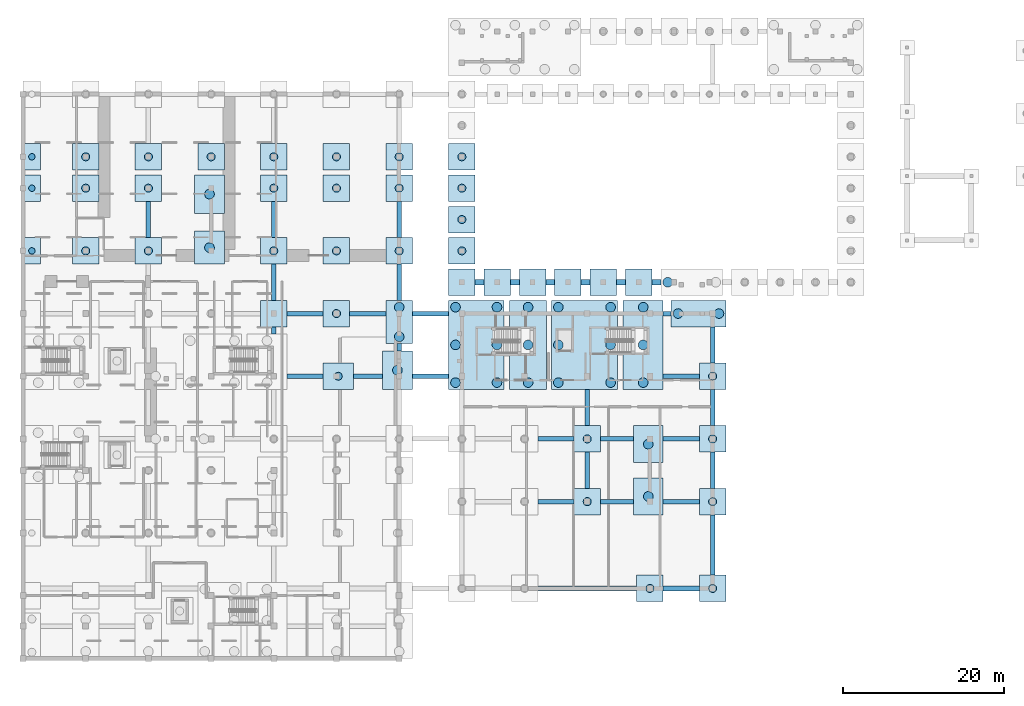
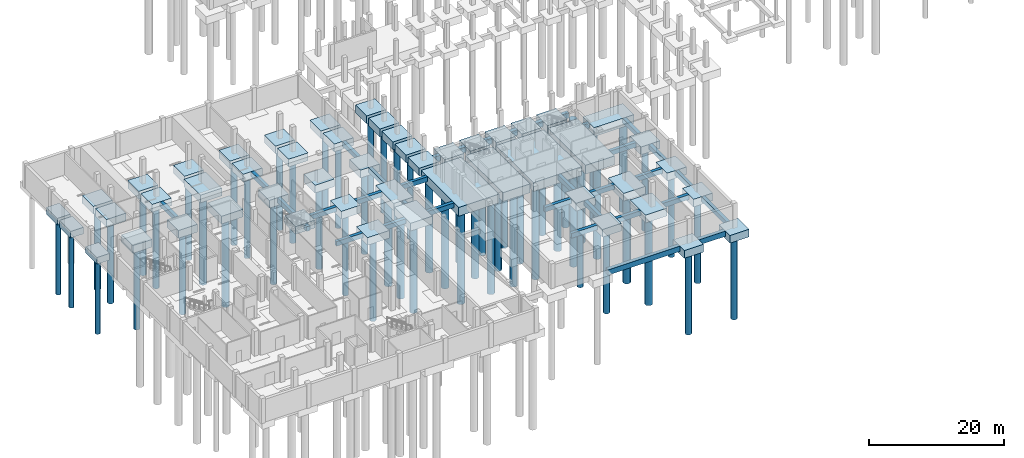
# One storey, part 2 of 24: 85 footings, 60 piles.
"""IFC4 building model written with IfcOpenShell, lengths in metres."""

from ifc_helpers import new_model, si_unit, direction, frame, origin, origin_2d, place, context, subcontext, project, spatial, rectangle, circle, extrude, material, material_profile, profile_set, type_object, element, save


model = new_model("IFC4")

# Units and contexts
model_context = context("Model", 3, precision=1e-05, world=origin(), true_north=direction((0.0, 1.0)))
body_context = subcontext(model_context, "Body", "Model", "MODEL_VIEW")
ifc_project = project(units=[si_unit("LENGTHUNIT", "METRE"), si_unit("AREAUNIT", "SQUARE_METRE"), si_unit("VOLUMEUNIT", "CUBIC_METRE"), si_unit("PLANEANGLEUNIT", "RADIAN"), si_unit("MASSUNIT", "GRAM", prefix="KILO")], contexts=[model_context])

# Site, building, storey
site_placement = place(None, origin())
site = spatial("IfcSite", under=ifc_project, at=site_placement, CompositionType="ELEMENT")
building_placement = place(site_placement, origin())
building = spatial("IfcBuilding", under=site, at=building_placement, Name="Celorna Specialist Clinic", CompositionType="ELEMENT")
storey_placement = place(building_placement, frame((0.0, 0.0, -4.5)))
storey = spatial("IfcBuildingStorey", under=building, at=storey_placement, Name="B01", CompositionType="ELEMENT", Elevation=-4.5)

# Footings
ifc_material = material(Name="Concrete C35/45", Category="concrete")
footing_type_1 = type_object("IfcFootingType", Name="FB-01", PredefinedType="FOOTING_BEAM", material=ifc_material)
footing_1_placement = place(storey_placement, frame((66.300048828125, 19.5, -0.85009765625), z_axis=(0.0, 0.0, 1.0), x_axis=(1.0, 0.0, 0.0)))
element("IfcFooting", 1, at=footing_1_placement, inside=storey, type_object=footing_type_1, Name="Foundation tie beam FB-01 #15", PredefinedType="FOOTING_BEAM", context=body_context, shape_type="SweptSolid", body=[
    extrude(rectangle(XDim=4.5, YDim=0.550048828125, at=origin_2d()), origin(), (0.0, 0.0, 1.0), 0.85009765625),
])
footing_2_placement = place(storey_placement, frame((73.89990234375, 19.5, -0.85009765625), z_axis=(0.0, 0.0, 1.0), x_axis=(1.0, 0.0, 0.0)))
element("IfcFooting", 2, at=footing_2_placement, inside=storey, type_object=footing_type_1, Name="Foundation tie beam FB-01 #16", PredefinedType="FOOTING_BEAM", context=body_context, shape_type="SweptSolid", body=[
    extrude(rectangle(XDim=4.10009765625, YDim=0.550048828125, at=origin_2d()), origin(), (0.0, 0.0, 1.0), 0.85009765625),
])
for number, where, z_axis, x_axis, name in (
    (3, (81.89990234375, 19.5, -0.85009765625), (0.0, 0.0, 1.0), (1.0, 0.0, 0.0), "Foundation tie beam FB-01 #17"),
    (4, (66.300048828125, 27.300048828125, -0.85009765625), (0.0, 0.0, 1.0), (1.0, 0.0, 0.0), "Foundation tie beam FB-01 #25"),
):
    element("IfcFooting", number, at=place(storey_placement, frame(where, z_axis=z_axis, x_axis=x_axis)), inside=storey, type_object=footing_type_1, Name=name, PredefinedType="FOOTING_BEAM", context=body_context, shape_type="SweptSolid", body=[
        extrude(rectangle(XDim=4.5, YDim=0.550048828125, at=origin_2d()), origin(), (0.0, 0.0, 1.0), 0.85009765625),
    ])
footing_3_placement = place(storey_placement, frame((73.89990234375, 27.300048828125, -0.85009765625), z_axis=(0.0, 0.0, 1.0), x_axis=(1.0, 0.0, 0.0)))
element("IfcFooting", 5, at=footing_3_placement, inside=storey, type_object=footing_type_1, Name="Foundation tie beam FB-01 #26", PredefinedType="FOOTING_BEAM", context=body_context, shape_type="SweptSolid", body=[
    extrude(rectangle(XDim=4.10009765625, YDim=0.550048828125, at=origin_2d()), origin(), (0.0, 0.0, 1.0), 0.85009765625),
])
for number, where, z_axis, x_axis, name in (
    (6, (81.89990234375, 27.300048828125, -0.85009765625), (0.0, 0.0, 1.0), (1.0, 0.0, 0.0), "Foundation tie beam FB-01 #27"),
    (7, (35.10009765625, 35.10009765625, -0.85009765625), (0.0, 0.0, 1.0), (1.0, 0.0, 0.0), "Foundation tie beam FB-01 #29"),
):
    element("IfcFooting", number, at=place(storey_placement, frame(where, z_axis=z_axis, x_axis=x_axis)), inside=storey, type_object=footing_type_1, Name=name, PredefinedType="FOOTING_BEAM", context=body_context, shape_type="SweptSolid", body=[
        extrude(rectangle(XDim=4.5, YDim=0.550048828125, at=origin_2d()), origin(), (0.0, 0.0, 1.0), 0.85009765625),
    ])
footing_4_placement = place(storey_placement, frame((42.89990234375, 35.10009765625, -0.85009765625), z_axis=(0.0, 0.0, 1.0), x_axis=(1.0, 0.0, 0.0)))
element("IfcFooting", 8, at=footing_4_placement, inside=storey, type_object=footing_type_1, Name="Foundation tie beam FB-01 #30", PredefinedType="FOOTING_BEAM", context=body_context, shape_type="SweptSolid", body=[
    extrude(rectangle(XDim=3.6201171875, YDim=0.550048828125, at=origin_2d()), origin(), (0.0, 0.0, 1.0), 0.85009765625),
])
for number, where, z_axis, x_axis, name in (
    (9, (50.699951171875, 35.10009765625, -0.85009765625), (0.0, 0.0, 1.0), (1.0, 0.0, 0.0), "Foundation tie beam FB-01 #31"),
    (10, (81.89990234375, 35.10009765625, -0.85009765625), (0.0, 0.0, 1.0), (1.0, 0.0, 0.0), "Foundation tie beam FB-01 #32"),
    (11, (35.10009765625, 42.89990234375, -0.85009765625), (0.0, 0.0, 1.0), (1.0, 0.0, 0.0), "Foundation tie beam FB-01 #37"),
    (12, (42.89990234375, 42.89990234375, -0.85009765625), (0.0, 0.0, 1.0), (1.0, 0.0, 0.0), "Foundation tie beam FB-01 #38"),
    (13, (50.699951171875, 42.89990234375, -0.85009765625), (0.0, 0.0, 1.0), (1.0, 0.0, 0.0), "Foundation tie beam FB-01 #39"),
):
    element("IfcFooting", number, at=place(storey_placement, frame(where, z_axis=z_axis, x_axis=x_axis)), inside=storey, type_object=footing_type_1, Name=name, PredefinedType="FOOTING_BEAM", context=body_context, shape_type="SweptSolid", body=[
        extrude(rectangle(XDim=4.5, YDim=0.550048828125, at=origin_2d()), origin(), (0.0, 0.0, 1.0), 0.85009765625),
    ])
footing_5_placement = place(storey_placement, frame((80.14990234375, 42.89990234375, -0.85009765625), z_axis=(0.0, 0.0, 1.0), x_axis=(1.0, 0.0, 0.0)))
element("IfcFooting", 14, at=footing_5_placement, inside=storey, type_object=footing_type_1, Name="Foundation tie beam FB-01 #40", PredefinedType="FOOTING_BEAM", context=body_context, shape_type="SweptSolid", body=[
    extrude(rectangle(XDim=1.0, YDim=0.550048828125, at=origin_2d()), origin(), (0.0, 0.0, 1.0), 0.85009765625),
])
footing_6_placement = place(storey_placement, frame((15.60009765625, 54.60009765625, -0.85009765625), z_axis=(0.0, 0.0, 1.0), x_axis=(0.0, 1.0, 0.0)))
element("IfcFooting", 15, at=footing_6_placement, inside=storey, type_object=footing_type_1, Name="Foundation tie beam FB-01 #106", PredefinedType="FOOTING_BEAM", context=body_context, shape_type="SweptSolid", body=[
    extrude(rectangle(XDim=4.5, YDim=0.550048828125, at=origin_2d()), origin(), (0.0, 0.0, 1.0), 0.85009765625),
])
footing_7_placement = place(storey_placement, frame((31.199951171875, 40.81494140625, -0.85009765625), z_axis=(0.0, 0.0, 1.0), x_axis=(0.0, 1.0, 0.0)))
element("IfcFooting", 16, at=footing_7_placement, inside=storey, type_object=footing_type_1, Name="Foundation tie beam FB-01 #111", PredefinedType="FOOTING_BEAM", context=body_context, shape_type="SweptSolid", body=[
    extrude(rectangle(XDim=0.8701171875, YDim=0.550048828125, at=origin_2d()), origin(), (0.0, 0.0, 1.0), 0.85009765625),
])
for number, where, z_axis, x_axis, name in (
    (17, (31.199951171875, 46.800048828125, -0.85009765625), (0.0, 0.0, 1.0), (0.0, 1.0, 0.0), "Foundation tie beam FB-01 #112"),
    (18, (31.199951171875, 54.60009765625, -0.85009765625), (0.0, 0.0, 1.0), (0.0, 1.0, 0.0), "Foundation tie beam FB-01 #113"),
):
    element("IfcFooting", number, at=place(storey_placement, frame(where, z_axis=z_axis, x_axis=x_axis)), inside=storey, type_object=footing_type_1, Name=name, PredefinedType="FOOTING_BEAM", context=body_context, shape_type="SweptSolid", body=[
        extrude(rectangle(XDim=4.5, YDim=0.550048828125, at=origin_2d()), origin(), (0.0, 0.0, 1.0), 0.85009765625),
    ])
footing_8_placement = place(storey_placement, frame((46.800048828125, 38.699951171875, -0.85009765625), z_axis=(0.0, 0.0, 1.0), x_axis=(0.0, 1.0, 0.0)))
element("IfcFooting", 19, at=footing_8_placement, inside=storey, type_object=footing_type_1, Name="Foundation tie beam FB-01 #118", PredefinedType="FOOTING_BEAM", context=body_context, shape_type="SweptSolid", body=[
    extrude(rectangle(XDim=0.89990234375, YDim=0.550048828125, at=origin_2d()), origin(), (0.0, 0.0, 1.0), 0.85009765625),
])
for number, where, z_axis, x_axis, name in (
    (20, (46.800048828125, 46.800048828125, -0.85009765625), (0.0, 0.0, 1.0), (0.0, 1.0, 0.0), "Foundation tie beam FB-01 #119"),
    (21, (46.800048828125, 54.60009765625, -0.85009765625), (0.0, 0.0, 1.0), (0.0, 1.0, 0.0), "Foundation tie beam FB-01 #120"),
    (22, (70.199951171875, 23.39990234375, -0.85009765625), (0.0, 0.0, 1.0), (0.0, 1.0, 0.0), "Foundation tie beam FB-01 #129"),
    (23, (70.199951171875, 31.199951171875, -0.85009765625), (0.0, 0.0, 1.0), (0.0, 1.0, 0.0), "Foundation tie beam FB-01 #130"),
):
    element("IfcFooting", number, at=place(storey_placement, frame(where, z_axis=z_axis, x_axis=x_axis)), inside=storey, type_object=footing_type_1, Name=name, PredefinedType="FOOTING_BEAM", context=body_context, shape_type="SweptSolid", body=[
        extrude(rectangle(XDim=4.5, YDim=0.550048828125, at=origin_2d()), origin(), (0.0, 0.0, 1.0), 0.85009765625),
    ])
footing_9_placement = place(storey_placement, frame((85.800048828125, 14.10009765625, -0.85009765625), z_axis=(0.0, 0.0, 1.0), x_axis=(0.0, 1.0, 0.0)))
element("IfcFooting", 24, at=footing_9_placement, inside=storey, type_object=footing_type_1, Name="Foundation tie beam FB-01 #133", PredefinedType="FOOTING_BEAM", context=body_context, shape_type="SweptSolid", body=[
    extrude(rectangle(XDim=7.5, YDim=0.550048828125, at=origin_2d()), origin(), (0.0, 0.0, 1.0), 0.85009765625),
])
for number, where, z_axis, x_axis, name in (
    (25, (85.800048828125, 23.39990234375, -0.85009765625), (0.0, 0.0, 1.0), (0.0, 1.0, 0.0), "Foundation tie beam FB-01 #134"),
    (26, (85.800048828125, 31.199951171875, -0.85009765625), (0.0, 0.0, 1.0), (0.0, 1.0, 0.0), "Foundation tie beam FB-01 #135"),
    (27, (85.800048828125, 39.0, -0.85009765625), (0.0, 0.0, 1.0), (0.0, 1.0, 0.0), "Foundation tie beam FB-01 #136"),
):
    element("IfcFooting", number, at=place(storey_placement, frame(where, z_axis=z_axis, x_axis=x_axis)), inside=storey, type_object=footing_type_1, Name=name, PredefinedType="FOOTING_BEAM", context=body_context, shape_type="SweptSolid", body=[
        extrude(rectangle(XDim=4.5, YDim=0.550048828125, at=origin_2d()), origin(), (0.0, 0.0, 1.0), 0.85009765625),
    ])
footing_type_2 = type_object("IfcFootingType", Name="FB-02", PredefinedType="FOOTING_BEAM", material=ifc_material)
footing_10_placement = place(storey_placement, frame((70.199951171875, 8.699951171875, -0.9501953125), z_axis=(0.0, 0.0, 1.0), x_axis=(1.0, 0.0, 0.0)))
element("IfcFooting", 28, at=footing_10_placement, inside=storey, type_object=footing_type_2, Name="Foundation tie beam FB-02 #12", PredefinedType="FOOTING_BEAM", context=body_context, shape_type="SweptSolid", body=[
    extrude(rectangle(XDim=12.300048828125, YDim=0.64990234375, at=origin_2d()), origin(), (0.0, 0.0, 1.0), 0.949951171875),
])
footing_11_placement = place(storey_placement, frame((81.89990234375, 8.699951171875, -0.9501953125), z_axis=(0.0, 0.0, 1.0), x_axis=(1.0, 0.0, 0.0)))
element("IfcFooting", 29, at=footing_11_placement, inside=storey, type_object=footing_type_2, Name="Foundation tie beam FB-02 #13", PredefinedType="FOOTING_BEAM", context=body_context, shape_type="SweptSolid", body=[
    extrude(rectangle(XDim=4.5, YDim=0.64990234375, at=origin_2d()), origin(), (0.0, 0.0, 1.0), 0.949951171875),
])
for number, where, z_axis, x_axis, name in (
    (30, (56.800048828125, 46.800048828125, -0.9501953125), (0.0, 0.0, 1.0), (1.0, 0.0, 0.0), "Foundation tie beam FB-02 #41"),
    (31, (61.199951171875, 46.800048828125, -0.9501953125), (0.0, 0.0, 1.0), (1.0, 0.0, 0.0), "Foundation tie beam FB-02 #42"),
    (32, (65.60009765625, 46.800048828125, -0.9501953125), (0.0, 0.0, 1.0), (1.0, 0.0, 0.0), "Foundation tie beam FB-02 #43"),
    (33, (70.0, 46.800048828125, -0.9501953125), (0.0, 0.0, 1.0), (1.0, 0.0, 0.0), "Foundation tie beam FB-02 #44"),
    (34, (74.39990234375, 46.800048828125, -0.9501953125), (0.0, 0.0, 1.0), (1.0, 0.0, 0.0), "Foundation tie beam FB-02 #45"),
    (35, (78.800048828125, 46.800048828125, -0.9501953125), (0.0, 0.0, 1.0), (1.0, 0.0, 0.0), "Foundation tie beam FB-02 #46"),
):
    element("IfcFooting", number, at=place(storey_placement, frame(where, z_axis=z_axis, x_axis=x_axis)), inside=storey, type_object=footing_type_2, Name=name, PredefinedType="FOOTING_BEAM", context=body_context, shape_type="SweptSolid", body=[
        extrude(rectangle(XDim=1.10009765625, YDim=0.64990234375, at=origin_2d()), origin(), (0.0, 0.0, 1.0), 0.949951171875),
    ])

# Piles
ifc_material_profile_1 = material_profile(ifc_material, circle(Radius=0.39990234375, at=origin_2d()), Name="BORED PILE 800")
ifc_profile_set_1 = profile_set([ifc_material_profile_1], Name="Concrete C35/45")
pile_type_1 = type_object("IfcPileType", Name="P1", PredefinedType="BORED", material=ifc_profile_set_1)
for number, where, z_axis, x_axis, name in (
    (36, (1.10009765625, 50.699951171875, -1.10009765625), (0.0, 0.0, -1.0), (1.0, 0.0, 0.0), "Bored pile P1 #8"),
    (37, (1.10009765625, 58.5, -1.10009765625), (0.0, 0.0, -1.0), (1.0, 0.0, 0.0), "Bored pile P1 #9"),
    (38, (1.10009765625, 62.39990234375, -1.10009765625), (0.0, 0.0, -1.0), (1.0, 0.0, 0.0), "Bored pile P1 #10"),
):
    element("IfcPile", number, at=place(storey_placement, frame(where, z_axis=z_axis, x_axis=x_axis)), inside=storey, type_object=pile_type_1, Name=name, PredefinedType="BORED", context=body_context, shape_type="SweptSolid", body=[
        extrude(circle(Radius=0.39990234375, at=origin_2d()), origin(), (0.0, 0.0, 1.0), 13.89990234375),
    ])
ifc_material_profile_2 = material_profile(ifc_material, circle(Radius=0.5, at=origin_2d()), Name="BORED PILE 1000")
ifc_profile_set_2 = profile_set([ifc_material_profile_2], Name="Concrete C35/45")
pile_type_2 = type_object("IfcPileType", Name="P2", PredefinedType="BORED", material=ifc_profile_set_2)
for number, where, z_axis, x_axis, name in (
    (39, (7.800048828125, 50.699951171875, -1.300048828125), (0.0, 0.0, -1.0), (1.0, 0.0, 0.0), "Bored pile P2 #19"),
    (40, (7.800048828125, 58.5, -1.300048828125), (0.0, 0.0, -1.0), (1.0, 0.0, 0.0), "Bored pile P2 #20"),
    (41, (7.800048828125, 62.39990234375, -1.300048828125), (0.0, 0.0, -1.0), (1.0, 0.0, 0.0), "Bored pile P2 #21"),
    (42, (15.60009765625, 50.699951171875, -1.300048828125), (0.0, 0.0, -1.0), (1.0, 0.0, 0.0), "Bored pile P2 #32"),
    (43, (15.60009765625, 58.5, -1.300048828125), (0.0, 0.0, -1.0), (1.0, 0.0, 0.0), "Bored pile P2 #33"),
    (44, (15.60009765625, 62.39990234375, -1.300048828125), (0.0, 0.0, -1.0), (1.0, 0.0, 0.0), "Bored pile P2 #34"),
    (45, (23.39990234375, 62.39990234375, -1.300048828125), (0.0, 0.0, -1.0), (1.0, 0.0, 0.0), "Bored pile P2 #52"),
    (46, (31.199951171875, 50.699951171875, -1.300048828125), (0.0, 0.0, -1.0), (1.0, 0.0, 0.0), "Bored pile P2 #62"),
    (47, (31.199951171875, 58.5, -1.300048828125), (0.0, 0.0, -1.0), (1.0, 0.0, 0.0), "Bored pile P2 #63"),
    (48, (31.199951171875, 62.39990234375, -1.300048828125), (0.0, 0.0, -1.0), (1.0, 0.0, 0.0), "Bored pile P2 #64"),
    (49, (39.219970703125, 35.10009765625, -1.300048828125), (0.0, 0.0, -1.0), (1.0, 0.0, 0.0), "Bored pile P2 #71"),
    (50, (39.0, 42.89990234375, -1.300048828125), (0.0, 0.0, -1.0), (1.0, 0.0, 0.0), "Bored pile P2 #72"),
    (51, (39.0, 50.699951171875, -1.300048828125), (0.0, 0.0, -1.0), (1.0, 0.0, 0.0), "Bored pile P2 #73"),
    (52, (39.0, 58.5, -1.300048828125), (0.0, 0.0, -1.0), (1.0, 0.0, 0.0), "Bored pile P2 #74"),
    (53, (39.0, 62.39990234375, -1.300048828125), (0.0, 0.0, -1.0), (1.0, 0.0, 0.0), "Bored pile P2 #75"),
    (54, (46.800048828125, 50.699951171875, -1.300048828125), (0.0, 0.0, -1.0), (1.0, 0.0, 0.0), "Bored pile P2 #85"),
    (55, (46.800048828125, 58.5, -1.300048828125), (0.0, 0.0, -1.0), (1.0, 0.0, 0.0), "Bored pile P2 #86"),
    (56, (46.800048828125, 62.39990234375, -1.300048828125), (0.0, 0.0, -1.0), (1.0, 0.0, 0.0), "Bored pile P2 #87"),
    (57, (54.60009765625, 50.699951171875, -1.300048828125), (0.0, 0.0, -1.0), (1.0, 0.0, 0.0), "Bored pile P2 #105"),
    (58, (54.60009765625, 54.60009765625, -1.300048828125), (0.0, 0.0, -1.0), (1.0, 0.0, 0.0), "Bored pile P2 #106"),
    (59, (54.60009765625, 58.5, -1.300048828125), (0.0, 0.0, -1.0), (1.0, 0.0, 0.0), "Bored pile P2 #107"),
    (60, (54.60009765625, 62.39990234375, -1.300048828125), (0.0, 0.0, -1.0), (1.0, 0.0, 0.0), "Bored pile P2 #108"),
    (61, (70.199951171875, 19.5, -1.300048828125), (0.0, 0.0, -1.0), (1.0, 0.0, 0.0), "Bored pile P2 #143"),
    (62, (70.199951171875, 27.300048828125, -1.300048828125), (0.0, 0.0, -1.0), (1.0, 0.0, 0.0), "Bored pile P2 #144"),
    (63, (78.0, 8.699951171875, -1.300048828125), (0.0, 0.0, -1.0), (1.0, 0.0, 0.0), "Bored pile P2 #159"),
    (64, (85.800048828125, 8.699951171875, -1.300048828125), (0.0, 0.0, -1.0), (1.0, 0.0, 0.0), "Bored pile P2 #173"),
    (65, (85.800048828125, 19.5, -1.300048828125), (0.0, 0.0, -1.0), (1.0, 0.0, 0.0), "Bored pile P2 #174"),
    (66, (85.800048828125, 27.300048828125, -1.300048828125), (0.0, 0.0, -1.0), (1.0, 0.0, 0.0), "Bored pile P2 #175"),
    (67, (85.800048828125, 35.10009765625, -1.300048828125), (0.0, 0.0, -1.0), (1.0, 0.0, 0.0), "Bored pile P2 #176"),
):
    element("IfcPile", number, at=place(storey_placement, frame(where, z_axis=z_axis, x_axis=x_axis)), inside=storey, type_object=pile_type_2, Name=name, PredefinedType="BORED", context=body_context, shape_type="SweptSolid", body=[
        extrude(circle(Radius=0.5, at=origin_2d()), origin(), (0.0, 0.0, 1.0), 15.199951171875),
    ])
ifc_material_profile_3 = material_profile(ifc_material, circle(Radius=0.60009765625, at=origin_2d()), Name="BORED PILE 1200")
ifc_profile_set_3 = profile_set([ifc_material_profile_3], Name="Concrete C35/45")
pile_type_3 = type_object("IfcPileType", Name="P3", PredefinedType="BORED", material=ifc_profile_set_3)
for number, where, z_axis, x_axis, name in (
    (68, (23.199951171875, 51.10009765625, -1.300048828125), (0.0, 0.0, -1.0), (1.0, 0.0, 0.0), "Bored pile P3 #42"),
    (69, (23.199951171875, 57.75, -1.300048828125), (0.0, 0.0, -1.0), (1.0, 0.0, 0.0), "Bored pile P3 #43"),
    (70, (46.580078125, 35.85009765625, -1.300048828125), (0.0, 0.0, -1.0), (1.0, 0.0, 0.0), "Bored pile P3 #78"),
    (71, (46.800048828125, 40.010009765625, -1.300048828125), (0.0, 0.0, -1.0), (1.0, 0.0, 0.0), "Bored pile P3 #83"),
    (72, (46.800048828125, 43.68994140625, -1.300048828125), (0.0, 0.0, -1.0), (1.0, 0.0, 0.0), "Bored pile P3 #84"),
):
    element("IfcPile", number, at=place(storey_placement, frame(where, z_axis=z_axis, x_axis=x_axis)), inside=storey, type_object=pile_type_3, Name=name, PredefinedType="BORED", context=body_context, shape_type="SweptSolid", body=[
        extrude(circle(Radius=0.60009765625, at=origin_2d()), origin(), (0.0, 0.0, 1.0), 16.699951171875),
    ])
for number, where, z_axis, x_axis, name in (
    (73, (53.81005859375, 34.31005859375, -1.5), (0.0, 0.0, -1.0), (1.0, 0.0, 0.0), "Bored pile P3 #99"),
    (74, (53.81005859375, 39.0, -1.5), (0.0, 0.0, -1.0), (1.0, 0.0, 0.0), "Bored pile P3 #100"),
    (75, (53.81005859375, 43.68994140625, -1.5), (0.0, 0.0, -1.0), (1.0, 0.0, 0.0), "Bored pile P3 #101"),
    (76, (58.969970703125, 34.31005859375, -1.5), (0.0, 0.0, -1.0), (1.0, 0.0, 0.0), "Bored pile P3 #102"),
    (77, (58.969970703125, 39.0, -1.5), (0.0, 0.0, -1.0), (1.0, 0.0, 0.0), "Bored pile P3 #103"),
    (78, (58.969970703125, 43.68994140625, -1.5), (0.0, 0.0, -1.0), (1.0, 0.0, 0.0), "Bored pile P3 #104"),
    (79, (62.840087890625, 34.31005859375, -1.5), (0.0, 0.0, -1.0), (1.0, 0.0, 0.0), "Bored pile P3 #123"),
    (80, (62.840087890625, 39.0, -1.5), (0.0, 0.0, -1.0), (1.0, 0.0, 0.0), "Bored pile P3 #124"),
    (81, (62.840087890625, 43.68994140625, -1.5), (0.0, 0.0, -1.0), (1.0, 0.0, 0.0), "Bored pile P3 #125"),
    (82, (66.610107421875, 34.31005859375, -1.5), (0.0, 0.0, -1.0), (1.0, 0.0, 0.0), "Bored pile P3 #134"),
    (83, (66.610107421875, 39.0, -1.5), (0.0, 0.0, -1.0), (1.0, 0.0, 0.0), "Bored pile P3 #135"),
    (84, (66.610107421875, 43.68994140625, -1.5), (0.0, 0.0, -1.0), (1.0, 0.0, 0.0), "Bored pile P3 #136"),
    (85, (73.110107421875, 34.31005859375, -1.5), (0.0, 0.0, -1.0), (1.0, 0.0, 0.0), "Bored pile P3 #137"),
    (86, (73.110107421875, 39.0, -1.5), (0.0, 0.0, -1.0), (1.0, 0.0, 0.0), "Bored pile P3 #138"),
    (87, (73.110107421875, 43.68994140625, -1.5), (0.0, 0.0, -1.0), (1.0, 0.0, 0.0), "Bored pile P3 #139"),
    (88, (77.159912109375, 34.31005859375, -1.5), (0.0, 0.0, -1.0), (1.0, 0.0, 0.0), "Bored pile P3 #150"),
    (89, (77.159912109375, 39.0, -1.5), (0.0, 0.0, -1.0), (1.0, 0.0, 0.0), "Bored pile P3 #151"),
    (90, (77.159912109375, 43.68994140625, -1.5), (0.0, 0.0, -1.0), (1.0, 0.0, 0.0), "Bored pile P3 #152"),
):
    element("IfcPile", number, at=place(storey_placement, frame(where, z_axis=z_axis, x_axis=x_axis)), inside=storey, type_object=pile_type_3, Name=name, PredefinedType="BORED", context=body_context, shape_type="SweptSolid", body=[
        extrude(circle(Radius=0.60009765625, at=origin_2d()), origin(), (0.0, 0.0, 1.0), 16.5),
    ])
for number, where, z_axis, x_axis, name in (
    (91, (77.800048828125, 20.14990234375, -1.300048828125), (0.0, 0.0, -1.0), (1.0, 0.0, 0.0), "Bored pile P3 #157"),
    (92, (77.800048828125, 26.64990234375, -1.300048828125), (0.0, 0.0, -1.0), (1.0, 0.0, 0.0), "Bored pile P3 #158"),
):
    element("IfcPile", number, at=place(storey_placement, frame(where, z_axis=z_axis, x_axis=x_axis)), inside=storey, type_object=pile_type_3, Name=name, PredefinedType="BORED", context=body_context, shape_type="SweptSolid", body=[
        extrude(circle(Radius=0.60009765625, at=origin_2d()), origin(), (0.0, 0.0, 1.0), 16.699951171875),
    ])
for number, where, z_axis, x_axis, name in (
    (93, (80.2099609375, 46.800048828125, -1.5), (0.0, 0.0, -1.0), (1.0, 0.0, 0.0), "Bored pile P3 #164"),
    (94, (81.510009765625, 42.89990234375, -1.5), (0.0, 0.0, -1.0), (1.0, 0.0, 0.0), "Bored pile P3 #168"),
    (95, (86.590087890625, 42.89990234375, -1.5), (0.0, 0.0, -1.0), (1.0, 0.0, 0.0), "Bored pile P3 #169"),
):
    element("IfcPile", number, at=place(storey_placement, frame(where, z_axis=z_axis, x_axis=x_axis)), inside=storey, type_object=pile_type_3, Name=name, PredefinedType="BORED", context=body_context, shape_type="SweptSolid", body=[
        extrude(circle(Radius=0.60009765625, at=origin_2d()), origin(), (0.0, 0.0, 1.0), 16.5),
    ])

# Footings
footing_type_3 = type_object("IfcFootingType", Name="PC-02", PredefinedType="PILE_CAP", material=ifc_material)
for number, where, z_axis, x_axis, name in (
    (96, (1.10009765625, 50.699951171875, -1.2001953125), (0.0, 0.0, 1.0), (1.0, 0.0, 0.0), "Pile cap PC-02 #7"),
    (97, (1.10009765625, 58.5, -1.2001953125), (0.0, 0.0, 1.0), (1.0, 0.0, 0.0), "Pile cap PC-02 #8"),
    (98, (1.10009765625, 62.39990234375, -1.2001953125), (0.0, 0.0, 1.0), (1.0, 0.0, 0.0), "Pile cap PC-02 #9"),
):
    element("IfcFooting", number, at=place(storey_placement, frame(where, z_axis=z_axis, x_axis=x_axis)), inside=storey, type_object=footing_type_3, Name=name, PredefinedType="PILE_CAP", context=body_context, shape_type="SweptSolid", body=[
        extrude(rectangle(XDim=2.199951171875, YDim=3.300048828125, at=origin_2d()), origin(), (0.0, 0.0, 1.0), 1.199951171875),
    ])
footing_type_4 = type_object("IfcFootingType", Name="PC-08", PredefinedType="PILE_CAP", material=ifc_material)
for number, where, z_axis, x_axis, name in (
    (99, (7.800048828125, 50.699951171875, -1.39990234375), (0.0, 0.0, 1.0), (1.0, 0.0, 0.0), "Pile cap PC-08 #17"),
    (100, (7.800048828125, 58.5, -1.39990234375), (0.0, 0.0, 1.0), (1.0, 0.0, 0.0), "Pile cap PC-08 #18"),
    (101, (7.800048828125, 62.39990234375, -1.39990234375), (0.0, 0.0, 1.0), (1.0, 0.0, 0.0), "Pile cap PC-08 #19"),
    (102, (15.60009765625, 50.699951171875, -1.39990234375), (0.0, 0.0, 1.0), (1.0, 0.0, 0.0), "Pile cap PC-08 #30"),
    (103, (15.60009765625, 58.5, -1.39990234375), (0.0, 0.0, 1.0), (1.0, 0.0, 0.0), "Pile cap PC-08 #31"),
    (104, (15.60009765625, 62.39990234375, -1.39990234375), (0.0, 0.0, 1.0), (1.0, 0.0, 0.0), "Pile cap PC-08 #32"),
    (105, (23.39990234375, 62.39990234375, -1.39990234375), (0.0, 0.0, 1.0), (1.0, 0.0, 0.0), "Pile cap PC-08 #43"),
    (106, (31.199951171875, 42.89990234375, -1.39990234375), (0.0, 0.0, 1.0), (1.0, 0.0, 0.0), "Pile cap PC-08 #50"),
    (107, (31.199951171875, 50.699951171875, -1.39990234375), (0.0, 0.0, 1.0), (1.0, 0.0, 0.0), "Pile cap PC-08 #51"),
    (108, (31.199951171875, 58.5, -1.39990234375), (0.0, 0.0, 1.0), (1.0, 0.0, 0.0), "Pile cap PC-08 #52"),
    (109, (31.199951171875, 62.39990234375, -1.39990234375), (0.0, 0.0, 1.0), (1.0, 0.0, 0.0), "Pile cap PC-08 #53"),
    (110, (39.0, 42.89990234375, -1.39990234375), (0.0, 0.0, 1.0), (1.0, 0.0, 0.0), "Pile cap PC-08 #61"),
    (111, (39.0, 50.699951171875, -1.39990234375), (0.0, 0.0, 1.0), (1.0, 0.0, 0.0), "Pile cap PC-08 #62"),
    (112, (39.0, 58.5, -1.39990234375), (0.0, 0.0, 1.0), (1.0, 0.0, 0.0), "Pile cap PC-08 #63"),
    (113, (39.0, 62.39990234375, -1.39990234375), (0.0, 0.0, 1.0), (1.0, 0.0, 0.0), "Pile cap PC-08 #64"),
    (114, (46.800048828125, 50.699951171875, -1.39990234375), (0.0, 0.0, 1.0), (1.0, 0.0, 0.0), "Pile cap PC-08 #73"),
    (115, (46.800048828125, 58.5, -1.39990234375), (0.0, 0.0, 1.0), (1.0, 0.0, 0.0), "Pile cap PC-08 #74"),
    (116, (46.800048828125, 62.39990234375, -1.39990234375), (0.0, 0.0, 1.0), (1.0, 0.0, 0.0), "Pile cap PC-08 #75"),
    (117, (54.60009765625, 46.800048828125, -1.39990234375), (0.0, 0.0, 1.0), (1.0, 0.0, 0.0), "Pile cap PC-08 #86"),
    (118, (54.60009765625, 50.699951171875, -1.39990234375), (0.0, 0.0, 1.0), (1.0, 0.0, 0.0), "Pile cap PC-08 #87"),
    (119, (54.60009765625, 54.60009765625, -1.39990234375), (0.0, 0.0, 1.0), (1.0, 0.0, 0.0), "Pile cap PC-08 #88"),
    (120, (54.60009765625, 58.5, -1.39990234375), (0.0, 0.0, 1.0), (1.0, 0.0, 0.0), "Pile cap PC-08 #89"),
    (121, (54.60009765625, 62.39990234375, -1.39990234375), (0.0, 0.0, 1.0), (1.0, 0.0, 0.0), "Pile cap PC-08 #90"),
    (122, (59.0, 46.800048828125, -1.39990234375), (0.0, 0.0, 1.0), (1.0, 0.0, 0.0), "Pile cap PC-08 #98"),
    (123, (63.39990234375, 46.800048828125, -1.39990234375), (0.0, 0.0, 1.0), (1.0, 0.0, 0.0), "Pile cap PC-08 #108"),
    (124, (67.800048828125, 46.800048828125, -1.39990234375), (0.0, 0.0, 1.0), (1.0, 0.0, 0.0), "Pile cap PC-08 #112"),
    (125, (70.199951171875, 19.5, -1.39990234375), (0.0, 0.0, 1.0), (1.0, 0.0, 0.0), "Pile cap PC-08 #116"),
    (126, (70.199951171875, 27.300048828125, -1.39990234375), (0.0, 0.0, 1.0), (1.0, 0.0, 0.0), "Pile cap PC-08 #117"),
    (127, (72.199951171875, 46.800048828125, -1.39990234375), (0.0, 0.0, 1.0), (1.0, 0.0, 0.0), "Pile cap PC-08 #120"),
    (128, (76.60009765625, 46.800048828125, -1.39990234375), (0.0, 0.0, 1.0), (1.0, 0.0, 0.0), "Pile cap PC-08 #125"),
    (129, (78.0, 8.699951171875, -1.39990234375), (0.0, 0.0, 1.0), (1.0, 0.0, 0.0), "Pile cap PC-08 #132"),
    (130, (85.800048828125, 8.699951171875, -1.39990234375), (0.0, 0.0, 1.0), (1.0, 0.0, 0.0), "Pile cap PC-08 #143"),
    (131, (85.800048828125, 19.5, -1.39990234375), (0.0, 0.0, 1.0), (1.0, 0.0, 0.0), "Pile cap PC-08 #144"),
    (132, (85.800048828125, 27.300048828125, -1.39990234375), (0.0, 0.0, 1.0), (1.0, 0.0, 0.0), "Pile cap PC-08 #145"),
    (133, (85.800048828125, 35.10009765625, -1.39990234375), (0.0, 0.0, 1.0), (1.0, 0.0, 0.0), "Pile cap PC-08 #146"),
):
    element("IfcFooting", number, at=place(storey_placement, frame(where, z_axis=z_axis, x_axis=x_axis)), inside=storey, type_object=footing_type_4, Name=name, PredefinedType="PILE_CAP", context=body_context, shape_type="SweptSolid", body=[
        extrude(rectangle(XDim=3.300048828125, YDim=3.300048828125, at=origin_2d()), origin(), (0.0, 0.0, 1.0), 1.39990234375),
    ])
footing_type_5 = type_object("IfcFootingType", Name="PC-11", PredefinedType="PILE_CAP", material=ifc_material)
footing_12_placement = place(storey_placement, frame((23.199951171875, 51.10009765625, -1.39990234375), z_axis=(0.0, 0.0, 1.0), x_axis=(1.0, 0.0, 0.0)))
element("IfcFooting", 134, at=footing_12_placement, inside=storey, type_object=footing_type_5, Name="Pile cap PC-11 #37", PredefinedType="PILE_CAP", context=body_context, shape_type="SweptSolid", body=[
    extrude(rectangle(XDim=3.699951171875, YDim=4.10009765625, at=origin_2d()), origin(), (0.0, 0.0, 1.0), 1.39990234375),
])
footing_type_6 = type_object("IfcFootingType", Name="PC-12", PredefinedType="PILE_CAP", material=ifc_material)
footing_13_placement = place(storey_placement, frame((23.199951171875, 57.75, -1.39990234375), z_axis=(0.0, 0.0, 1.0), x_axis=(1.0, 0.0, 0.0)))
element("IfcFooting", 135, at=footing_13_placement, inside=storey, type_object=footing_type_6, Name="Pile cap PC-12 #38", PredefinedType="PILE_CAP", context=body_context, shape_type="SweptSolid", body=[
    extrude(rectangle(XDim=3.699951171875, YDim=4.800048828125, at=origin_2d()), origin(), (0.0, 0.0, 1.0), 1.39990234375),
])
footing_type_7 = type_object("IfcFootingType", Name="PC-17", PredefinedType="PILE_CAP", material=ifc_material)
footing_14_placement = place(storey_placement, frame((39.219970703125, 35.10009765625, -1.39990234375), z_axis=(0.0, 0.0, 1.0), x_axis=(1.0, 0.0, 0.0)))
element("IfcFooting", 136, at=footing_14_placement, inside=storey, type_object=footing_type_7, Name="Pile cap PC-17 #60", PredefinedType="PILE_CAP", context=body_context, shape_type="SweptSolid", body=[
    extrude(rectangle(XDim=3.739990234375, YDim=3.300048828125, at=origin_2d()), origin(), (0.0, 0.0, 1.0), 1.39990234375),
])
footing_type_8 = type_object("IfcFootingType", Name="PC-18", PredefinedType="PILE_CAP", material=ifc_material)
footing_15_placement = place(storey_placement, frame((46.580078125, 35.85009765625, -1.39990234375), z_axis=(0.0, 0.0, 1.0), x_axis=(1.0, 0.0, 0.0)))
element("IfcFooting", 137, at=footing_15_placement, inside=storey, type_object=footing_type_8, Name="Pile cap PC-18 #67", PredefinedType="PILE_CAP", context=body_context, shape_type="SweptSolid", body=[
    extrude(rectangle(XDim=3.739990234375, YDim=4.800048828125, at=origin_2d()), origin(), (0.0, 0.0, 1.0), 1.39990234375),
])
footing_type_9 = type_object("IfcFootingType", Name="PC-19", PredefinedType="PILE_CAP", material=ifc_material)
footing_16_placement = place(storey_placement, frame((46.800048828125, 41.85009765625, -1.39990234375), z_axis=(0.0, 0.0, 1.0), x_axis=(1.0, 0.0, 0.0)))
element("IfcFooting", 138, at=footing_16_placement, inside=storey, type_object=footing_type_9, Name="Pile cap PC-19 #72", PredefinedType="PILE_CAP", context=body_context, shape_type="SweptSolid", body=[
    extrude(rectangle(XDim=3.300048828125, YDim=5.39990234375, at=origin_2d()), origin(), (0.0, 0.0, 1.0), 1.39990234375),
])
footing_type_10 = type_object("IfcFootingType", Name="PC-22", PredefinedType="PILE_CAP", material=ifc_material)
footing_17_placement = place(storey_placement, frame((56.389892578125, 39.0, -1.60009765625), z_axis=(0.0, 0.0, 1.0), x_axis=(1.0, 0.0, 0.0)))
element("IfcFooting", 139, at=footing_17_placement, inside=storey, type_object=footing_type_10, Name="Pile cap PC-22 #85", PredefinedType="PILE_CAP", context=body_context, shape_type="SweptSolid", body=[
    extrude(rectangle(XDim=6.8798828125, YDim=11.10009765625, at=origin_2d()), origin(), (0.0, 0.0, 1.0), 1.60009765625),
])
footing_type_11 = type_object("IfcFootingType", Name="PC-25", PredefinedType="PILE_CAP", material=ifc_material)
footing_18_placement = place(storey_placement, frame((62.840087890625, 39.0, -1.60009765625), z_axis=(0.0, 0.0, 1.0), x_axis=(1.0, 0.0, 0.0)))
element("IfcFooting", 140, at=footing_18_placement, inside=storey, type_object=footing_type_11, Name="Pile cap PC-25 #100", PredefinedType="PILE_CAP", context=body_context, shape_type="SweptSolid", body=[
    extrude(rectangle(XDim=4.6201171875, YDim=11.10009765625, at=origin_2d()), origin(), (0.0, 0.0, 1.0), 1.60009765625),
])
footing_type_12 = type_object("IfcFootingType", Name="PC-26", PredefinedType="PILE_CAP", material=ifc_material)
footing_19_placement = place(storey_placement, frame((69.860107421875, 39.0, -1.60009765625), z_axis=(0.0, 0.0, 1.0), x_axis=(1.0, 0.0, 0.0)))
element("IfcFooting", 141, at=footing_19_placement, inside=storey, type_object=footing_type_12, Name="Pile cap PC-26 #111", PredefinedType="PILE_CAP", context=body_context, shape_type="SweptSolid", body=[
    extrude(rectangle(XDim=8.219970703125, YDim=11.10009765625, at=origin_2d()), origin(), (0.0, 0.0, 1.0), 1.60009765625),
])
footing_type_13 = type_object("IfcFootingType", Name="PC-28", PredefinedType="PILE_CAP", material=ifc_material)
footing_20_placement = place(storey_placement, frame((77.159912109375, 39.0, -1.60009765625), z_axis=(0.0, 0.0, 1.0), x_axis=(1.0, 0.0, 0.0)))
element("IfcFooting", 142, at=footing_20_placement, inside=storey, type_object=footing_type_13, Name="Pile cap PC-28 #124", PredefinedType="PILE_CAP", context=body_context, shape_type="SweptSolid", body=[
    extrude(rectangle(XDim=4.97998046875, YDim=11.10009765625, at=origin_2d()), origin(), (0.0, 0.0, 1.0), 1.60009765625),
])
footing_type_14 = type_object("IfcFootingType", Name="PC-30", PredefinedType="PILE_CAP", material=ifc_material)
for number, where, z_axis, x_axis, name in (
    (143, (77.800048828125, 20.14990234375, -1.39990234375), (0.0, 0.0, 1.0), (1.0, 0.0, 0.0), "Pile cap PC-30 #130"),
    (144, (77.800048828125, 26.64990234375, -1.39990234375), (0.0, 0.0, 1.0), (1.0, 0.0, 0.0), "Pile cap PC-30 #131"),
):
    element("IfcFooting", number, at=place(storey_placement, frame(where, z_axis=z_axis, x_axis=x_axis)), inside=storey, type_object=footing_type_14, Name=name, PredefinedType="PILE_CAP", context=body_context, shape_type="SweptSolid", body=[
        extrude(rectangle(XDim=3.699951171875, YDim=4.60009765625, at=origin_2d()), origin(), (0.0, 0.0, 1.0), 1.39990234375),
    ])
footing_type_15 = type_object("IfcFootingType", Name="PC-33", PredefinedType="PILE_CAP", material=ifc_material)
footing_21_placement = place(storey_placement, frame((84.050048828125, 42.89990234375, -1.60009765625), z_axis=(0.0, 0.0, 1.0), x_axis=(1.0, 0.0, 0.0)))
element("IfcFooting", 145, at=footing_21_placement, inside=storey, type_object=footing_type_15, Name="Pile cap PC-33 #139", PredefinedType="PILE_CAP", context=body_context, shape_type="SweptSolid", body=[
    extrude(rectangle(XDim=6.800048828125, YDim=3.300048828125, at=origin_2d()), origin(), (0.0, 0.0, 1.0), 1.60009765625),
])

save(model, "model.ifc")
